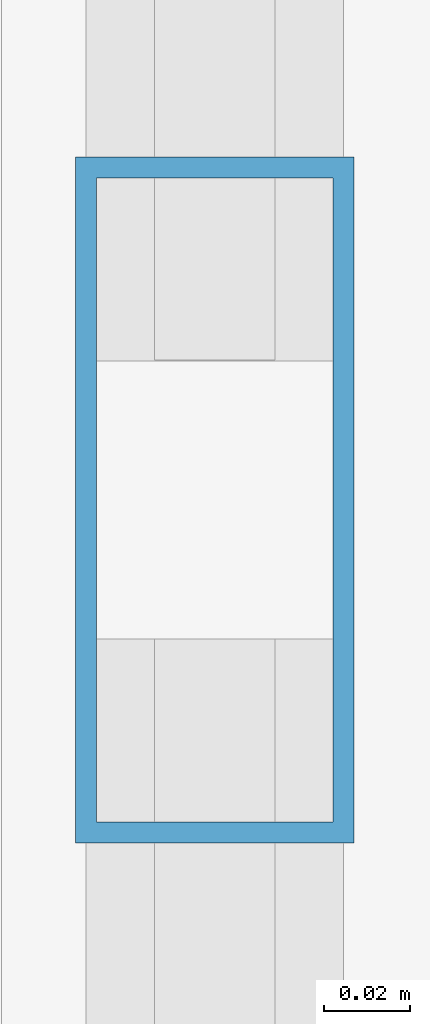
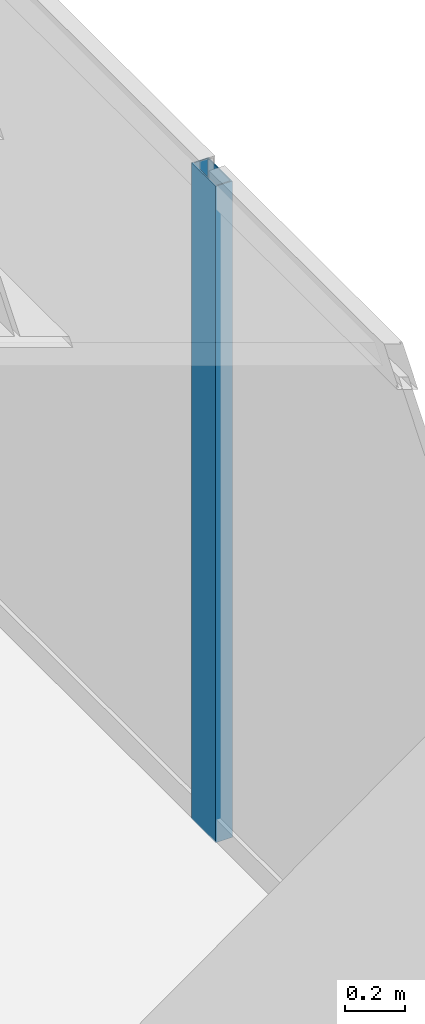
# One storey, part 11 of 28: 1 member, 1 element without a shape of its own.
"""IFC4 building model written with IfcOpenShell, lengths in metres."""

from ifc_helpers import new_model, si_unit, direction, frame, origin, origin_2d, place, context, subcontext, project, spatial, hollow_rectangle, extrude, source, transform, mapped, material, layer, layer_set, material_profile, profile_set, type_object, element, aggregate, save


model = new_model("IFC4")

# Units and contexts
model_context = context("Model", 3, precision=1e-05, world=origin(), true_north=direction((0.0, 1.0)))
body_context = subcontext(model_context, "Body", "Model", "MODEL_VIEW")
ifc_project = project(units=[si_unit("LENGTHUNIT", "METRE"), si_unit("AREAUNIT", "SQUARE_METRE"), si_unit("VOLUMEUNIT", "CUBIC_METRE"), si_unit("PLANEANGLEUNIT", "RADIAN"), si_unit("MASSUNIT", "GRAM", prefix="KILO")], contexts=[model_context])

# Site, building, storey
site_placement = place(None, origin())
site = spatial("IfcSite", under=ifc_project, at=site_placement, CompositionType="ELEMENT")
building_placement = place(site_placement, origin())
building = spatial("IfcBuilding", under=site, at=building_placement, Name="Sumidabori Civic Tower", CompositionType="ELEMENT")
storey_placement = place(building_placement, frame((0.0, 0.0, 185.60009765625)))
storey = spatial("IfcBuildingStorey", under=building, at=storey_placement, Name="L48", CompositionType="ELEMENT", Elevation=185.60009765625)

# Curtain wall, member
ifc_material = material(Name="Anodised Bronze Aluminium AW-6063-T6", Category="aluminium")
ifc_layer = layer(ifc_material, 0.179931640625, Name="Anodised Bronze Aluminium AW-6063-T6")
ifc_layer_set = layer_set([ifc_layer], Name="Anodised Bronze Aluminium AW-6063-T6")
curtain_wall_type = type_object("IfcCurtainWallType", Name="CW-SYS-3", PredefinedType="NOTDEFINED", material=ifc_layer_set)
curtain_wall_placement = place(storey_placement, origin())
curtain_wall = element("IfcCurtainWall", 1, at=curtain_wall_placement, inside=storey, type_object=curtain_wall_type, Name="Curtain Wall CW:L48:R04", PredefinedType="NOTDEFINED")
ifc_material_profile = material_profile(ifc_material, hollow_rectangle(XDim=0.06494140625, YDim=0.159912109375, WallThickness=0.0048828125, at=origin_2d()), Name="ALU MULLION 160x65")
ifc_profile_set = profile_set([ifc_material_profile], Name="Anodised Bronze Aluminium AW-6063-T6")
member_type = type_object("IfcMemberType", Name="CW-MUL-160", PredefinedType="MULLION", material=ifc_profile_set)
shared_shape = source(origin(), body_context, "Body", "SweptSolid", [
    extrude(hollow_rectangle(XDim=0.06494140625, YDim=0.159912109375, WallThickness=0.0048828125, at=origin_2d()), origin(), (0.0, 0.0, 1.0), 2.679931640625),
])
member_placement = place(storey_placement, frame((23.8798828125, -8.0849609375, 0.0), z_axis=(0.0, 0.0, 1.0), x_axis=(-1.0, 0.0, 0.0)))
member = element("IfcMember", 2, at=member_placement, type_object=member_type, Name="CW-3 mullion 2", PredefinedType="MULLION", context=body_context, shape_type="MappedRepresentation", body=[
    mapped(shared_shape, transform((0.0, 0.0, 0.0), x_axis=(1.0, 0.0, 0.0), y_axis=(0.0, 1.0, 0.0), z_axis=(0.0, 0.0, 1.0), scale=1.0)),
])
aggregate(curtain_wall, [member])

save(model, "model.ifc")
